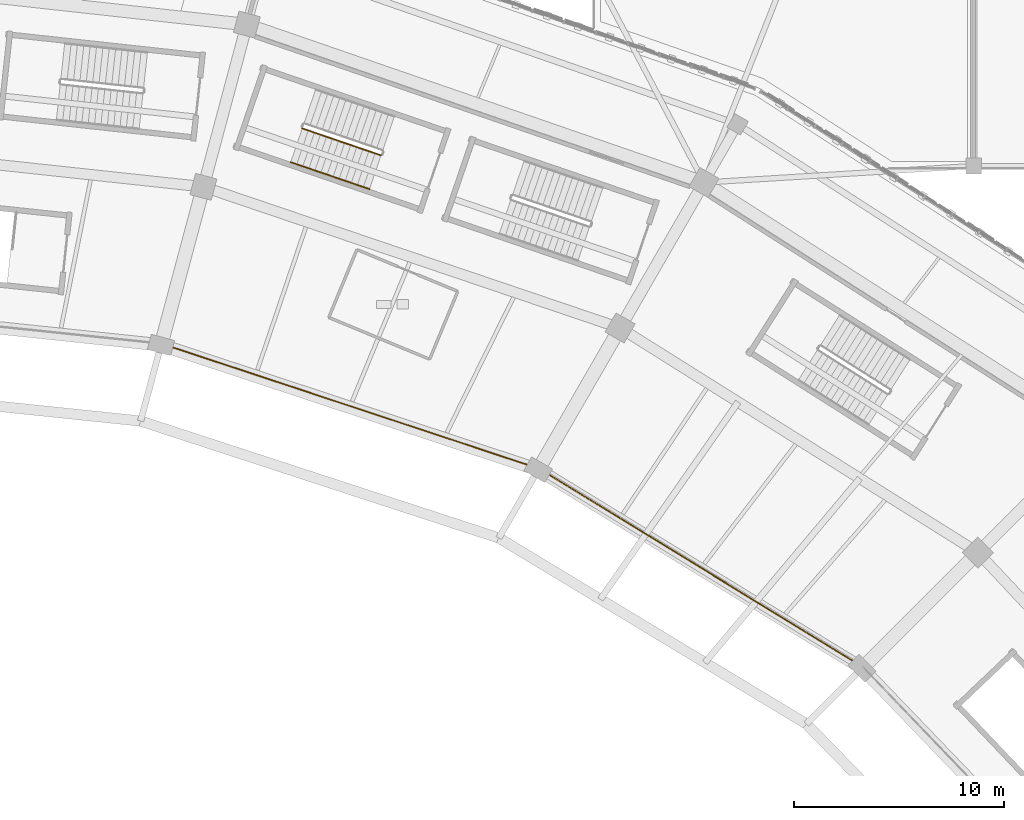
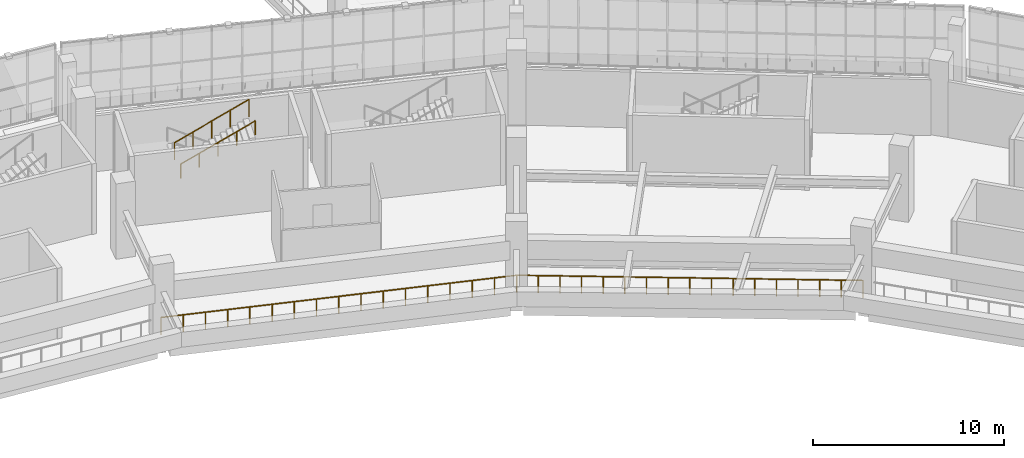
# One storey, part 169 of 179: 4 railings.
"""IFC4 building model written with IfcOpenShell, lengths in metres."""

from ifc_helpers import new_model, si_unit, direction, frame, origin, origin_2d, place, context, subcontext, project, spatial, circle, extrude, material, type_object, element, save


model = new_model("IFC4")

# Units and contexts
model_context = context("Model", 3, precision=1e-05, world=origin(), true_north=direction((0.0, 1.0)))
body_context = subcontext(model_context, "Body", "Model", "MODEL_VIEW")
ifc_project = project(units=[si_unit("LENGTHUNIT", "METRE"), si_unit("AREAUNIT", "SQUARE_METRE"), si_unit("VOLUMEUNIT", "CUBIC_METRE"), si_unit("PLANEANGLEUNIT", "RADIAN"), si_unit("MASSUNIT", "GRAM", prefix="KILO")], contexts=[model_context])

# Site, building, storey
site_placement = place(None, origin())
site = spatial("IfcSite", under=ifc_project, at=site_placement, CompositionType="ELEMENT")
building_placement = place(site_placement, origin())
building = spatial("IfcBuilding", under=site, at=building_placement, Name="Zevraka Park Crest Stadium", CompositionType="ELEMENT")
storey_placement = place(building_placement, frame((0.0, 0.0, 10.199951171875)))
storey = spatial("IfcBuildingStorey", under=building, at=storey_placement, Name="L02", CompositionType="ELEMENT", Elevation=10.199951171875)

# Railings
ifc_material_1 = material(Name="Galvanised and bronze-finished steel balustrade", Category="steel")
railing_type_1 = type_object("IfcRailingType", Name="GR01", PredefinedType="GUARDRAIL", material=ifc_material_1)
railing_1_placement = place(storey_placement, frame((164.720947265625, 134.12890625, 0.0)))
element("IfcRailing", 1, at=railing_1_placement, inside=storey, type_object=railing_type_1, Name="Deck Edge Protection Guardrail GR01 L02-66", PredefinedType="GUARDRAIL", context=body_context, shape_type="SweptSolid", body=[
    extrude(circle(Radius=0.02392578125, at=origin_2d()), frame((0.0, 0.0, 1.076171875), z_axis=(-0.852611141133, 0.522545923356, 0.0), x_axis=(-0.522545923356, -0.852611141133, 0.0)), (0.0, 0.0, 1.0), 18.09619140625),
    extrude(circle(Radius=0.02099609375, at=origin_2d()), origin(), (0.0, 0.0, 1.0), 1.052001953125),
    extrude(circle(Radius=0.02099609375, at=origin_2d()), frame((-0.96435546875, 0.591064453125, 0.0)), (0.0, 0.0, 1.0), 1.052001953125),
    extrude(circle(Radius=0.02099609375, at=origin_2d()), frame((-1.9287109375, 1.18212890625, 0.0)), (0.0, 0.0, 1.0), 1.052001953125),
    extrude(circle(Radius=0.02099609375, at=origin_2d()), frame((-2.892822265625, 1.77294921875, 0.0)), (0.0, 0.0, 1.0), 1.052001953125),
    extrude(circle(Radius=0.02099609375, at=origin_2d()), frame((-3.857177734375, 2.364013671875, 0.0)), (0.0, 0.0, 1.0), 1.052001953125),
    extrude(circle(Radius=0.02099609375, at=origin_2d()), frame((-4.821533203125, 2.955078125, 0.0)), (0.0, 0.0, 1.0), 1.052001953125),
    extrude(circle(Radius=0.02099609375, at=origin_2d()), frame((-5.785888671875, 3.5458984375, 0.0)), (0.0, 0.0, 1.0), 1.052001953125),
    extrude(circle(Radius=0.02099609375, at=origin_2d()), frame((-6.750244140625, 4.136962890625, 0.0)), (0.0, 0.0, 1.0), 1.052001953125),
    extrude(circle(Radius=0.02099609375, at=origin_2d()), frame((-7.71435546875, 4.72802734375, 0.0)), (0.0, 0.0, 1.0), 1.052001953125),
    extrude(circle(Radius=0.02099609375, at=origin_2d()), frame((-8.6787109375, 5.319091796875, 0.0)), (0.0, 0.0, 1.0), 1.052001953125),
    extrude(circle(Radius=0.02099609375, at=origin_2d()), frame((-9.64306640625, 5.91015625, 0.0)), (0.0, 0.0, 1.0), 1.052001953125),
    extrude(circle(Radius=0.02099609375, at=origin_2d()), frame((-10.607421875, 6.5009765625, 0.0)), (0.0, 0.0, 1.0), 1.052001953125),
    extrude(circle(Radius=0.02099609375, at=origin_2d()), frame((-11.57177734375, 7.092041015625, 0.0)), (0.0, 0.0, 1.0), 1.052001953125),
    extrude(circle(Radius=0.02099609375, at=origin_2d()), frame((-12.5361328125, 7.68310546875, 0.0)), (0.0, 0.0, 1.0), 1.052001953125),
    extrude(circle(Radius=0.02099609375, at=origin_2d()), frame((-13.500244140625, 8.27392578125, 0.0)), (0.0, 0.0, 1.0), 1.052001953125),
    extrude(circle(Radius=0.02099609375, at=origin_2d()), frame((-14.464599609375, 8.864990234375, 0.0)), (0.0, 0.0, 1.0), 1.052001953125),
    extrude(circle(Radius=0.02099609375, at=origin_2d()), frame((-15.428955078125, 9.4560546875, 0.0)), (0.0, 0.0, 1.0), 1.052001953125),
])
railing_2_placement = place(storey_placement, frame((149.2919921875, 143.5849609375, 0.0)))
element("IfcRailing", 2, at=railing_2_placement, inside=storey, type_object=railing_type_1, Name="Deck Edge Protection Guardrail GR01 L02-67", PredefinedType="GUARDRAIL", context=body_context, shape_type="SweptSolid", body=[
    extrude(circle(Radius=0.02392578125, at=origin_2d()), frame((0.0, 0.0, 1.076171875), z_axis=(-0.949392633966, 0.314091748652, 0.0), x_axis=(-0.314091748652, -0.949392633966, 0.0)), (0.0, 0.0, 1.0), 18.968994140625),
    extrude(circle(Radius=0.02099609375, at=origin_2d()), origin(), (0.0, 0.0, 1.0), 1.052001953125),
    extrude(circle(Radius=0.02099609375, at=origin_2d()), frame((-1.12548828125, 0.372314453125, 0.0)), (0.0, 0.0, 1.0), 1.052001953125),
    extrude(circle(Radius=0.02099609375, at=origin_2d()), frame((-2.251220703125, 0.74462890625, 0.0)), (0.0, 0.0, 1.0), 1.052001953125),
    extrude(circle(Radius=0.02099609375, at=origin_2d()), frame((-3.376708984375, 1.1171875, 0.0)), (0.0, 0.0, 1.0), 1.052001953125),
    extrude(circle(Radius=0.02099609375, at=origin_2d()), frame((-4.502197265625, 1.489501953125, 0.0)), (0.0, 0.0, 1.0), 1.052001953125),
    extrude(circle(Radius=0.02099609375, at=origin_2d()), frame((-5.6279296875, 1.86181640625, 0.0)), (0.0, 0.0, 1.0), 1.052001953125),
    extrude(circle(Radius=0.02099609375, at=origin_2d()), frame((-6.75341796875, 2.234375, 0.0)), (0.0, 0.0, 1.0), 1.052001953125),
    extrude(circle(Radius=0.02099609375, at=origin_2d()), frame((-7.87890625, 2.606689453125, 0.0)), (0.0, 0.0, 1.0), 1.052001953125),
    extrude(circle(Radius=0.02099609375, at=origin_2d()), frame((-9.00439453125, 2.97900390625, 0.0)), (0.0, 0.0, 1.0), 1.052001953125),
    extrude(circle(Radius=0.02099609375, at=origin_2d()), frame((-10.130126953125, 3.351318359375, 0.0)), (0.0, 0.0, 1.0), 1.052001953125),
    extrude(circle(Radius=0.02099609375, at=origin_2d()), frame((-11.255615234375, 3.7236328125, 0.0)), (0.0, 0.0, 1.0), 1.052001953125),
    extrude(circle(Radius=0.02099609375, at=origin_2d()), frame((-12.381103515625, 4.09619140625, 0.0)), (0.0, 0.0, 1.0), 1.052001953125),
    extrude(circle(Radius=0.02099609375, at=origin_2d()), frame((-13.5068359375, 4.468505859375, 0.0)), (0.0, 0.0, 1.0), 1.052001953125),
    extrude(circle(Radius=0.02099609375, at=origin_2d()), frame((-14.63232421875, 4.8408203125, 0.0)), (0.0, 0.0, 1.0), 1.052001953125),
    extrude(circle(Radius=0.02099609375, at=origin_2d()), frame((-15.7578125, 5.21337890625, 0.0)), (0.0, 0.0, 1.0), 1.052001953125),
    extrude(circle(Radius=0.02099609375, at=origin_2d()), frame((-16.883544921875, 5.585693359375, 0.0)), (0.0, 0.0, 1.0), 1.052001953125),
    extrude(circle(Radius=0.02099609375, at=origin_2d()), frame((-18.009033203125, 5.9580078125, 0.0)), (0.0, 0.0, 1.0), 1.052001953125),
])
ifc_material_2 = material(Name="Powder-coated tubular steel stairwell guard", Category="steel")
railing_type_2 = type_object("IfcRailingType", Name="GR03", PredefinedType="GUARDRAIL", material=ifc_material_2)
railing_3_placement = place(storey_placement, frame((138.012451171875, 159.789794921875, 2.571533203125)))
element("IfcRailing", 3, at=railing_3_placement, inside=storey, type_object=railing_type_2, Name="L02 ST25 stair guard 3", PredefinedType="GUARDRAIL", context=body_context, shape_type="SweptSolid", body=[
    extrude(circle(Radius=0.02392578125, at=origin_2d()), frame((0.0, 0.0, 1.076171875), z_axis=(0.824739296281, -0.282392023283, 0.489959017016), x_axis=(0.323938619155, 0.946078099852, 0.0)), (0.0, 0.0, 1.0), 4.54833984375),
    extrude(circle(Radius=0.02099609375, at=origin_2d()), origin(), (0.0, 0.0, 1.0), 1.052001953125),
    extrude(circle(Radius=0.02099609375, at=origin_2d()), frame((0.937744140625, -0.321044921875, 0.55712890625)), (0.0, 0.0, 1.0), 1.052001953125),
    extrude(circle(Radius=0.02099609375, at=origin_2d()), frame((1.87548828125, -0.64208984375, 1.1142578125)), (0.0, 0.0, 1.0), 1.052001953125),
    extrude(circle(Radius=0.02099609375, at=origin_2d()), frame((2.8134765625, -0.96337890625, 1.67138671875)), (0.0, 0.0, 1.0), 1.052001953125),
    extrude(circle(Radius=0.02099609375, at=origin_2d()), frame((3.751220703125, -1.284423828125, 2.228515625)), (0.0, 0.0, 1.0), 1.052001953125),
])
ifc_material_3 = material(Name="Brushed stainless steel continuous handrail", Category="steel")
railing_type_3 = type_object("IfcRailingType", Name="HR01", PredefinedType="HANDRAIL", material=ifc_material_3)
railing_4_placement = place(storey_placement, frame((137.461669921875, 158.181640625, 2.571533203125)))
element("IfcRailing", 4, at=railing_4_placement, inside=storey, type_object=railing_type_3, Name="L02 ST25 stair handrail 2", PredefinedType="HANDRAIL", context=body_context, shape_type="SweptSolid", body=[
    extrude(circle(Radius=0.02392578125, at=origin_2d()), frame((0.0, 0.0, 0.8759765625), z_axis=(0.824726794133, -0.282441418206, 0.489951589772), x_axis=(0.32399372979, 0.946059228091, 0.0)), (0.0, 0.0, 1.0), 4.54833984375),
    extrude(circle(Radius=0.02099609375, at=origin_2d()), origin(), (0.0, 0.0, 1.0), 0.851806640625),
    extrude(circle(Radius=0.02099609375, at=origin_2d()), frame((0.937744140625, -0.3212890625, 0.55712890625)), (0.0, 0.0, 1.0), 0.851806640625),
    extrude(circle(Radius=0.02099609375, at=origin_2d()), frame((1.87548828125, -0.642333984375, 1.1142578125)), (0.0, 0.0, 1.0), 0.851806640625),
    extrude(circle(Radius=0.02099609375, at=origin_2d()), frame((2.8134765625, -0.96337890625, 1.67138671875)), (0.0, 0.0, 1.0), 0.851806640625),
    extrude(circle(Radius=0.02099609375, at=origin_2d()), frame((3.751220703125, -1.28466796875, 2.228515625)), (0.0, 0.0, 1.0), 0.851806640625),
])

save(model, "model.ifc")
